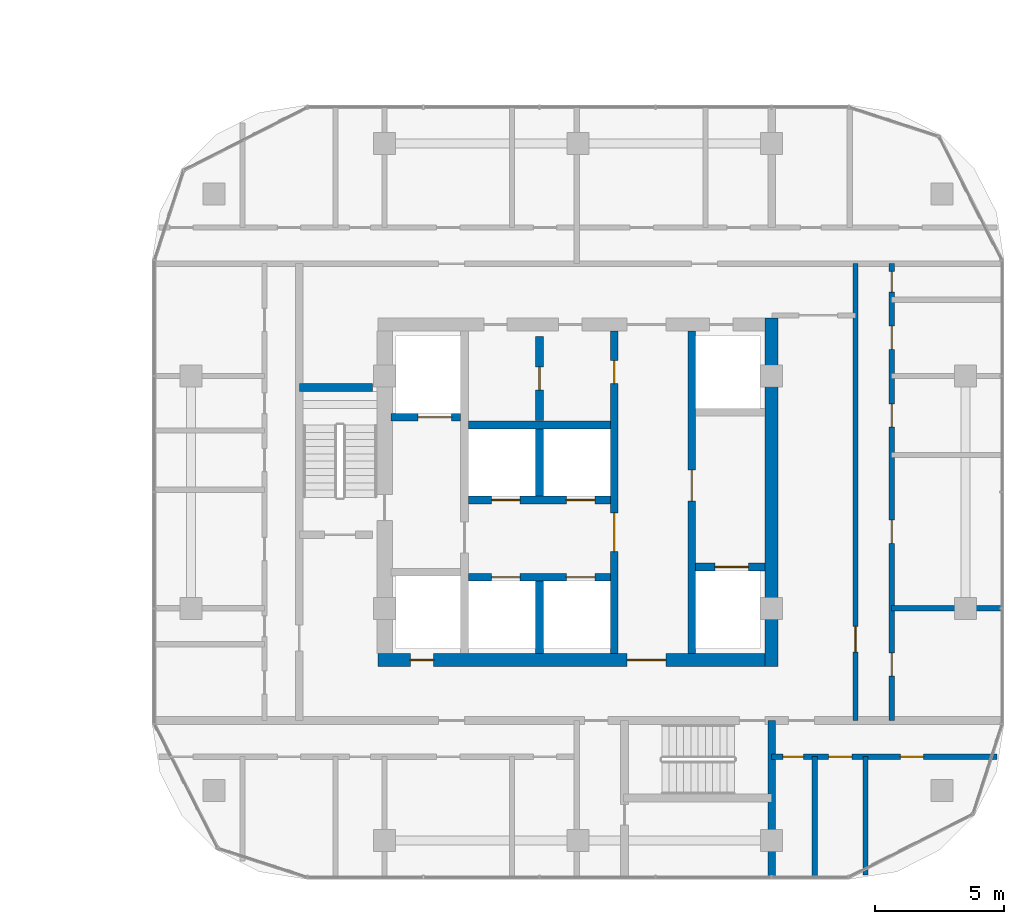
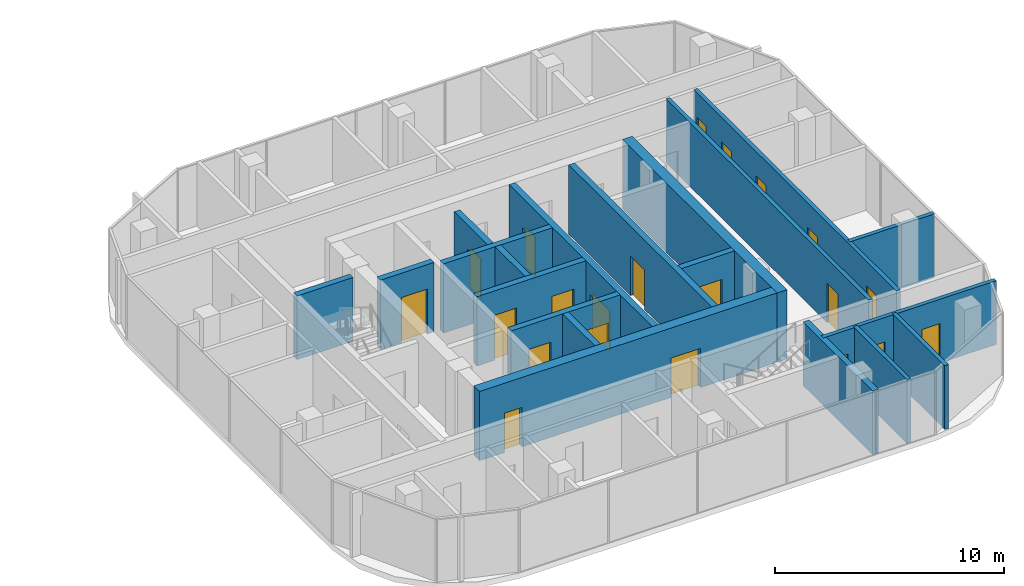
# One storey, part 21 of 31: 21 doors, 20 walls, 21 openings.
"""IFC4 building model written with IfcOpenShell, lengths in metres."""

from ifc_helpers import new_model, si_unit, direction, frame, frame_2d, origin, place, context, subcontext, project, spatial, rectangle, extrude, material, layer, layer_set, type_object, element, fill, save


model = new_model("IFC4")

# Units and contexts
model_context = context("Model", 3, precision=1e-05, world=origin(), true_north=direction((0.0, 1.0)))
body_context = subcontext(model_context, "Body", "Model", "MODEL_VIEW")
ifc_project = project(units=[si_unit("LENGTHUNIT", "METRE"), si_unit("AREAUNIT", "SQUARE_METRE"), si_unit("VOLUMEUNIT", "CUBIC_METRE"), si_unit("PLANEANGLEUNIT", "RADIAN"), si_unit("MASSUNIT", "GRAM", prefix="KILO")], contexts=[model_context])

# Site, building, storey
site_placement = place(None, origin())
site = spatial("IfcSite", under=ifc_project, at=site_placement, CompositionType="ELEMENT")
building_placement = place(site_placement, origin())
building = spatial("IfcBuilding", under=site, at=building_placement, Name="Ogive Portal Towers", CompositionType="ELEMENT")
storey_placement = place(building_placement, frame((0.0, 0.0, 74.199951171875)))
storey = spatial("IfcBuildingStorey", under=building, at=storey_placement, Name="L17", CompositionType="ELEMENT", Elevation=74.199951171875)

# Wall, openings, doors
ifc_material_1 = material(Name="Concrete C60/75", Category="concrete")
ifc_layer_1 = layer(ifc_material_1, 0.300048828125)
ifc_layer_set_1 = layer_set([ifc_layer_1], Name="CORE WALL 300 C60")
wall_type_1 = type_object("IfcWallType", Name="CORE WALL 300 C60", PredefinedType="SHEAR", material=ifc_layer_set_1)
wall_1_placement = place(storey_placement, frame((137.89990234375, 24.75, 0.0), z_axis=(0.0, 0.0, 1.0), x_axis=(0.0, 1.0, 0.0)))
wall_1 = element("IfcWall", 1, at=wall_1_placement, inside=storey, type_object=wall_type_1, Name="Tower B core wall BX2 L17", PredefinedType="SHEAR", context=body_context, shape_type="SweptSolid", body=[
    extrude(rectangle(XDim=12.5, YDim=0.300048828125, at=frame_2d((6.25, 0.0))), origin(), (0.0, 0.0, 1.0), 3.699951171875),
])
opening_1_placement = place(wall_1_placement, frame((3.949951171875, 0.0, 0.0)))
opening_1 = element("IfcOpeningElement", 2, at=opening_1_placement, cuts=wall_1, Name="Opening B05-041", PredefinedType="OPENING", context=body_context, shape_type="SweptSolid", body=[
    extrude(rectangle(XDim=1.5, YDim=2.10009765625, at=frame_2d((0.75, 1.050048828125))), frame((0.0, 0.16015625, 0.0), z_axis=(0.0, -1.0, 0.0), x_axis=(1.0, 0.0, 0.0)), (0.0, 0.0, 1.0), 0.320068359375),
])
opening_2_placement = place(wall_1_placement, frame((10.449951171875, 0.0, 0.0)))
opening_2 = element("IfcOpeningElement", 3, at=opening_2_placement, cuts=wall_1, Name="Opening B05-057", PredefinedType="OPENING", context=body_context, shape_type="SweptSolid", body=[
    extrude(rectangle(XDim=0.89990234375, YDim=2.10009765625, at=frame_2d((0.449951171875, 1.050048828125))), frame((0.0, 0.16015625, 0.0), z_axis=(0.0, -1.0, 0.0), x_axis=(1.0, 0.0, 0.0)), (0.0, 0.0, 1.0), 0.320068359375),
])
ifc_material_2 = material(Name="Steel fire door", Category="steel")
door_type_1 = type_object("IfcDoorType", Name="DT-SWING-1500x2100-FD90S", OperationType="SINGLE_SWING_LEFT", PredefinedType="DOOR", material=ifc_material_2)
door_1_placement = place(opening_1_placement, origin())
door_1 = element("IfcDoor", 4, at=door_1_placement, inside=storey, type_object=door_type_1, Name="Door B05-041", OperationType="SINGLE_SWING_RIGHT", OverallHeight=2.10009765625, OverallWidth=1.5, PredefinedType="DOOR", context=body_context, shape_type="SweptSolid", body=[
    extrude(rectangle(XDim=1.5, YDim=2.10009765625, at=frame_2d((0.75, 1.050048828125))), frame((0.0, 0.02490234375, 0.0), z_axis=(0.0, -1.0, 0.0), x_axis=(1.0, 0.0, 0.0)), (0.0, 0.0, 1.0), 0.050048828125),
])
fill(opening_1, door_1)
door_type_2 = type_object("IfcDoorType", Name="DT-SWING-900x2100-FD90S", OperationType="SINGLE_SWING_LEFT", PredefinedType="DOOR", material=ifc_material_2)
door_2_placement = place(opening_2_placement, origin())
door_2 = element("IfcDoor", 5, at=door_2_placement, inside=storey, type_object=door_type_2, Name="Door B05-057", OperationType="SINGLE_SWING_RIGHT", OverallHeight=2.10009765625, OverallWidth=0.89990234375, PredefinedType="DOOR", context=body_context, shape_type="SweptSolid", body=[
    extrude(rectangle(XDim=0.89990234375, YDim=2.10009765625, at=frame_2d((0.449951171875, 1.050048828125))), frame((0.0, 0.02490234375, 0.0), z_axis=(0.0, -1.0, 0.0), x_axis=(1.0, 0.0, 0.0)), (0.0, 0.0, 1.0), 0.050048828125),
])
fill(opening_2, door_2)

# Wall, opening, door
wall_2_placement = place(storey_placement, frame((140.89990234375, 24.75, 0.0), z_axis=(0.0, 0.0, 1.0), x_axis=(0.0, 1.0, 0.0)))
wall_2 = element("IfcWall", 6, at=wall_2_placement, inside=storey, type_object=wall_type_1, Name="Tower B core wall BX3 L17", PredefinedType="SHEAR", context=body_context, shape_type="SweptSolid", body=[
    extrude(rectangle(XDim=12.5, YDim=0.300048828125, at=frame_2d((6.25, 0.0))), origin(), (0.0, 0.0, 1.0), 3.699951171875),
])
opening_3_placement = place(wall_2_placement, frame((5.89990234375, 0.0, 0.0)))
opening_3 = element("IfcOpeningElement", 7, at=opening_3_placement, cuts=wall_2, Name="Opening B05-043", PredefinedType="OPENING", context=body_context, shape_type="SweptSolid", body=[
    extrude(rectangle(XDim=1.199951171875, YDim=2.10009765625, at=frame_2d((0.60009765625, 1.050048828125))), frame((0.0, 0.16015625, 0.0), z_axis=(0.0, -1.0, 0.0), x_axis=(1.0, 0.0, 0.0)), (0.0, 0.0, 1.0), 0.320068359375),
])
door_type_3 = type_object("IfcDoorType", Name="DT-SWING-1200x2100-FD90S", OperationType="SINGLE_SWING_LEFT", PredefinedType="DOOR", material=ifc_material_2)
door_3_placement = place(opening_3_placement, origin())
door_3 = element("IfcDoor", 8, at=door_3_placement, inside=storey, type_object=door_type_3, Name="Door B05-043", OperationType="SINGLE_SWING_RIGHT", OverallHeight=2.10009765625, OverallWidth=1.199951171875, PredefinedType="DOOR", context=body_context, shape_type="SweptSolid", body=[
    extrude(rectangle(XDim=1.199951171875, YDim=2.10009765625, at=frame_2d((0.60009765625, 1.050048828125))), frame((0.0, 0.02490234375, 0.0), z_axis=(0.0, -1.0, 0.0), x_axis=(1.0, 0.0, 0.0)), (0.0, 0.0, 1.0), 0.050048828125),
])
fill(opening_3, door_3)

# Walls
wall_3_placement = place(storey_placement, frame((135.0, 24.75, 0.0), z_axis=(0.0, 0.0, 1.0), x_axis=(0.0, 1.0, 0.0)))
element("IfcWall", 9, at=wall_3_placement, inside=storey, type_object=wall_type_1, Name="Tower B core wall BX4 L17", PredefinedType="SHEAR", context=body_context, shape_type="SweptSolid", body=[
    extrude(rectangle(XDim=2.800048828125, YDim=0.300048828125, at=frame_2d((1.39990234375, 0.0))), origin(), (0.0, 0.0, 1.0), 3.699951171875),
])
wall_4_placement = place(storey_placement, frame((135.0, 30.85009765625, 0.0), z_axis=(0.0, 0.0, 1.0), x_axis=(0.0, 1.0, 0.0)))
element("IfcWall", 10, at=wall_4_placement, inside=storey, type_object=wall_type_1, Name="Tower B core wall BX5 L17", PredefinedType="SHEAR", context=body_context, shape_type="SweptSolid", body=[
    extrude(rectangle(XDim=2.599853515625, YDim=0.300048828125, at=frame_2d((1.2998046875, 0.0))), origin(), (0.0, 0.0, 1.0), 3.699951171875),
])

# Wall, openings, doors
wall_5_placement = place(storey_placement, frame((132.25, 27.699951171875, 0.0), z_axis=(0.0, 0.0, 1.0), x_axis=(1.0, 0.0, 0.0)))
wall_5 = element("IfcWall", 11, at=wall_5_placement, inside=storey, type_object=wall_type_1, Name="Tower B core wall BY1 L17", PredefinedType="SHEAR", context=body_context, shape_type="SweptSolid", body=[
    extrude(rectangle(XDim=5.5, YDim=0.300048828125, at=frame_2d((2.75, 0.0))), origin(), (0.0, 0.0, 1.0), 3.699951171875),
])
opening_4_placement = place(wall_5_placement, frame((0.89990234375, 0.0, 0.0)))
opening_4 = element("IfcOpeningElement", 12, at=opening_4_placement, cuts=wall_5, Name="Opening B05-049", PredefinedType="OPENING", context=body_context, shape_type="SweptSolid", body=[
    extrude(rectangle(XDim=1.10009765625, YDim=2.39990234375, at=frame_2d((0.550048828125, 1.199951171875))), frame((0.0, 0.16015625, 0.0), z_axis=(0.0, -1.0, 0.0), x_axis=(1.0, 0.0, 0.0)), (0.0, 0.0, 1.0), 0.320068359375),
])
opening_5_placement = place(wall_5_placement, frame((3.800048828125, 0.0, 0.0)))
opening_5 = element("IfcOpeningElement", 13, at=opening_5_placement, cuts=wall_5, Name="Opening B05-050", PredefinedType="OPENING", context=body_context, shape_type="SweptSolid", body=[
    extrude(rectangle(XDim=1.10009765625, YDim=2.39990234375, at=frame_2d((0.550048828125, 1.199951171875))), frame((0.0, 0.16015625, 0.0), z_axis=(0.0, -1.0, 0.0), x_axis=(1.0, 0.0, 0.0)), (0.0, 0.0, 1.0), 0.320068359375),
])
ifc_material_3 = material(Name="Stainless steel", Category="steel")
door_type_4 = type_object("IfcDoorType", Name="DT-LD-1100x2400", OperationType="SLIDING_TO_LEFT", PredefinedType="DOOR", material=ifc_material_3)
door_4_placement = place(opening_4_placement, origin())
door_4 = element("IfcDoor", 14, at=door_4_placement, inside=storey, type_object=door_type_4, Name="Door B05-049", OperationType="SLIDING_TO_LEFT", OverallHeight=2.39990234375, OverallWidth=1.10009765625, PredefinedType="DOOR", context=body_context, shape_type="SweptSolid", body=[
    extrude(rectangle(XDim=1.10009765625, YDim=2.39990234375, at=frame_2d((0.550048828125, 1.199951171875))), frame((0.0, 0.02490234375, 0.0), z_axis=(0.0, -1.0, 0.0), x_axis=(1.0, 0.0, 0.0)), (0.0, 0.0, 1.0), 0.050048828125),
])
fill(opening_4, door_4)
door_5_placement = place(opening_5_placement, origin())
door_5 = element("IfcDoor", 15, at=door_5_placement, inside=storey, type_object=door_type_4, Name="Door B05-050", OperationType="SLIDING_TO_LEFT", OverallHeight=2.39990234375, OverallWidth=1.10009765625, PredefinedType="DOOR", context=body_context, shape_type="SweptSolid", body=[
    extrude(rectangle(XDim=1.10009765625, YDim=2.39990234375, at=frame_2d((0.550048828125, 1.199951171875))), frame((0.0, 0.02490234375, 0.0), z_axis=(0.0, -1.0, 0.0), x_axis=(1.0, 0.0, 0.0)), (0.0, 0.0, 1.0), 0.050048828125),
])
fill(opening_5, door_5)

wall_6_placement = place(storey_placement, frame((132.25, 30.699951171875, 0.0), z_axis=(0.0, 0.0, 1.0), x_axis=(1.0, 0.0, 0.0)))
wall_6 = element("IfcWall", 16, at=wall_6_placement, inside=storey, type_object=wall_type_1, Name="Tower B core wall BY2 L17", PredefinedType="SHEAR", context=body_context, shape_type="SweptSolid", body=[
    extrude(rectangle(XDim=5.5, YDim=0.300048828125, at=frame_2d((2.75, 0.0))), origin(), (0.0, 0.0, 1.0), 3.699951171875),
])
opening_6_placement = place(wall_6_placement, frame((0.89990234375, 0.0, 0.0)))
opening_6 = element("IfcOpeningElement", 17, at=opening_6_placement, cuts=wall_6, Name="Opening B05-051", PredefinedType="OPENING", context=body_context, shape_type="SweptSolid", body=[
    extrude(rectangle(XDim=1.10009765625, YDim=2.39990234375, at=frame_2d((0.550048828125, 1.199951171875))), frame((0.0, 0.16015625, 0.0), z_axis=(0.0, -1.0, 0.0), x_axis=(1.0, 0.0, 0.0)), (0.0, 0.0, 1.0), 0.320068359375),
])
opening_7_placement = place(wall_6_placement, frame((3.800048828125, 0.0, 0.0)))
opening_7 = element("IfcOpeningElement", 18, at=opening_7_placement, cuts=wall_6, Name="Opening B05-052", PredefinedType="OPENING", context=body_context, shape_type="SweptSolid", body=[
    extrude(rectangle(XDim=1.10009765625, YDim=2.39990234375, at=frame_2d((0.550048828125, 1.199951171875))), frame((0.0, 0.16015625, 0.0), z_axis=(0.0, -1.0, 0.0), x_axis=(1.0, 0.0, 0.0)), (0.0, 0.0, 1.0), 0.320068359375),
])
door_6_placement = place(opening_6_placement, origin())
door_6 = element("IfcDoor", 19, at=door_6_placement, inside=storey, type_object=door_type_4, Name="Door B05-051", OperationType="SLIDING_TO_LEFT", OverallHeight=2.39990234375, OverallWidth=1.10009765625, PredefinedType="DOOR", context=body_context, shape_type="SweptSolid", body=[
    extrude(rectangle(XDim=1.10009765625, YDim=2.39990234375, at=frame_2d((0.550048828125, 1.199951171875))), frame((0.0, 0.02490234375, 0.0), z_axis=(0.0, -1.0, 0.0), x_axis=(1.0, 0.0, 0.0)), (0.0, 0.0, 1.0), 0.050048828125),
])
fill(opening_6, door_6)
door_7_placement = place(opening_7_placement, origin())
door_7 = element("IfcDoor", 20, at=door_7_placement, inside=storey, type_object=door_type_4, Name="Door B05-052", OperationType="SLIDING_TO_LEFT", OverallHeight=2.39990234375, OverallWidth=1.10009765625, PredefinedType="DOOR", context=body_context, shape_type="SweptSolid", body=[
    extrude(rectangle(XDim=1.10009765625, YDim=2.39990234375, at=frame_2d((0.550048828125, 1.199951171875))), frame((0.0, 0.02490234375, 0.0), z_axis=(0.0, -1.0, 0.0), x_axis=(1.0, 0.0, 0.0)), (0.0, 0.0, 1.0), 0.050048828125),
])
fill(opening_7, door_7)

# Wall
wall_7_placement = place(storey_placement, frame((132.25, 33.60009765625, 0.0), z_axis=(0.0, 0.0, 1.0), x_axis=(1.0, 0.0, 0.0)))
element("IfcWall", 21, at=wall_7_placement, inside=storey, type_object=wall_type_1, Name="Tower B core wall BY3 L17", PredefinedType="SHEAR", context=body_context, shape_type="SweptSolid", body=[
    extrude(rectangle(XDim=5.5, YDim=0.300048828125, at=frame_2d((2.75, 0.0))), origin(), (0.0, 0.0, 1.0), 3.699951171875),
])

# Wall, opening, door
wall_8_placement = place(storey_placement, frame((129.25, 33.89990234375, 0.0), z_axis=(0.0, 0.0, 1.0), x_axis=(1.0, 0.0, 0.0)))
wall_8 = element("IfcWall", 22, at=wall_8_placement, inside=storey, type_object=wall_type_1, Name="Tower B core wall BY5 L17", PredefinedType="SHEAR", context=body_context, shape_type="SweptSolid", body=[
    extrude(rectangle(XDim=2.699951171875, YDim=0.300048828125, at=frame_2d((1.35009765625, 0.0))), origin(), (0.0, 0.0, 1.0), 3.699951171875),
])
opening_8_placement = place(wall_8_placement, frame((1.050048828125, 0.0, 0.0)))
opening_8 = element("IfcOpeningElement", 23, at=opening_8_placement, cuts=wall_8, Name="Opening B05-053", PredefinedType="OPENING", context=body_context, shape_type="SweptSolid", body=[
    extrude(rectangle(XDim=1.300048828125, YDim=2.39990234375, at=frame_2d((0.64990234375, 1.199951171875))), frame((0.0, 0.16015625, 0.0), z_axis=(0.0, -1.0, 0.0), x_axis=(1.0, 0.0, 0.0)), (0.0, 0.0, 1.0), 0.320068359375),
])
door_type_5 = type_object("IfcDoorType", Name="DT-LD-1300x2400", OperationType="SLIDING_TO_LEFT", PredefinedType="DOOR", material=ifc_material_3)
door_8_placement = place(opening_8_placement, origin())
door_8 = element("IfcDoor", 24, at=door_8_placement, inside=storey, type_object=door_type_5, Name="Door B05-053", OperationType="SLIDING_TO_LEFT", OverallHeight=2.39990234375, OverallWidth=1.300048828125, PredefinedType="DOOR", context=body_context, shape_type="SweptSolid", body=[
    extrude(rectangle(XDim=1.300048828125, YDim=2.39990234375, at=frame_2d((0.64990234375, 1.199951171875))), frame((0.0, 0.02490234375, 0.0), z_axis=(0.0, -1.0, 0.0), x_axis=(1.0, 0.0, 0.0)), (0.0, 0.0, 1.0), 0.050048828125),
])
fill(opening_8, door_8)

wall_9_placement = place(storey_placement, frame((141.050048828125, 28.10009765625, 0.0), z_axis=(0.0, 0.0, 1.0), x_axis=(1.0, 0.0, 0.0)))
wall_9 = element("IfcWall", 25, at=wall_9_placement, inside=storey, type_object=wall_type_1, Name="Tower B core wall BY6 L17", PredefinedType="SHEAR", context=body_context, shape_type="SweptSolid", body=[
    extrude(rectangle(XDim=2.699951171875, YDim=0.300048828125, at=frame_2d((1.35009765625, 0.0))), origin(), (0.0, 0.0, 1.0), 3.699951171875),
])
opening_9_placement = place(wall_9_placement, frame((0.75, 0.0, 0.0)))
opening_9 = element("IfcOpeningElement", 26, at=opening_9_placement, cuts=wall_9, Name="Opening B05-054", PredefinedType="OPENING", context=body_context, shape_type="SweptSolid", body=[
    extrude(rectangle(XDim=1.300048828125, YDim=2.39990234375, at=frame_2d((0.64990234375, 1.199951171875))), frame((0.0, 0.16015625, 0.0), z_axis=(0.0, -1.0, 0.0), x_axis=(1.0, 0.0, 0.0)), (0.0, 0.0, 1.0), 0.320068359375),
])
door_9_placement = place(opening_9_placement, origin())
door_9 = element("IfcDoor", 27, at=door_9_placement, inside=storey, type_object=door_type_5, Name="Door B05-054", OperationType="SLIDING_TO_LEFT", OverallHeight=2.39990234375, OverallWidth=1.300048828125, PredefinedType="DOOR", context=body_context, shape_type="SweptSolid", body=[
    extrude(rectangle(XDim=1.300048828125, YDim=2.39990234375, at=frame_2d((0.64990234375, 1.199951171875))), frame((0.0, 0.02490234375, 0.0), z_axis=(0.0, -1.0, 0.0), x_axis=(1.0, 0.0, 0.0)), (0.0, 0.0, 1.0), 0.050048828125),
])
fill(opening_9, door_9)

# Wall, openings, doors
ifc_layer_2 = layer(ifc_material_1, 0.5)
ifc_layer_set_2 = layer_set([ifc_layer_2], Name="CORE WALL 500 C60")
wall_type_2 = type_object("IfcWallType", Name="CORE WALL 500 C60", PredefinedType="SHEAR", material=ifc_layer_set_2)
wall_10_placement = place(storey_placement, frame((128.75, 24.5, 0.0), z_axis=(0.0, 0.0, 1.0), x_axis=(1.0, 0.0, 0.0)))
wall_10 = element("IfcWall", 28, at=wall_10_placement, inside=storey, type_object=wall_type_2, Name="Tower B core wall BS L17", PredefinedType="SHEAR", context=body_context, shape_type="SweptSolid", body=[
    extrude(rectangle(XDim=15.0, YDim=0.5, at=frame_2d((7.5, 0.0))), origin(), (0.0, 0.0, 1.0), 3.699951171875),
])
opening_10_placement = place(wall_10_placement, frame((9.64990234375, 0.0, 0.0)))
opening_10 = element("IfcOpeningElement", 29, at=opening_10_placement, cuts=wall_10, Name="Opening B05-045", PredefinedType="OPENING", context=body_context, shape_type="SweptSolid", body=[
    extrude(rectangle(XDim=1.5, YDim=2.10009765625, at=frame_2d((0.75, 1.050048828125))), frame((0.0, 0.260009765625, 0.0), z_axis=(0.0, -1.0, 0.0), x_axis=(1.0, 0.0, 0.0)), (0.0, 0.0, 1.0), 0.52001953125),
])
opening_11_placement = place(wall_10_placement, frame((1.25, 0.0, 0.0)))
opening_11 = element("IfcOpeningElement", 30, at=opening_11_placement, cuts=wall_10, Name="Opening B05-047", PredefinedType="OPENING", context=body_context, shape_type="SweptSolid", body=[
    extrude(rectangle(XDim=0.89990234375, YDim=2.10009765625, at=frame_2d((0.449951171875, 1.050048828125))), frame((0.0, 0.260009765625, 0.0), z_axis=(0.0, -1.0, 0.0), x_axis=(1.0, 0.0, 0.0)), (0.0, 0.0, 1.0), 0.52001953125),
])
door_10_placement = place(opening_10_placement, origin())
door_10 = element("IfcDoor", 31, at=door_10_placement, inside=storey, type_object=door_type_1, Name="Door B05-045", OperationType="SINGLE_SWING_LEFT", OverallHeight=2.10009765625, OverallWidth=1.5, PredefinedType="DOOR", context=body_context, shape_type="SweptSolid", body=[
    extrude(rectangle(XDim=1.5, YDim=2.10009765625, at=frame_2d((0.75, 1.050048828125))), frame((0.0, 0.02490234375, 0.0), z_axis=(0.0, -1.0, 0.0), x_axis=(1.0, 0.0, 0.0)), (0.0, 0.0, 1.0), 0.050048828125),
])
fill(opening_10, door_10)
door_11_placement = place(opening_11_placement, origin())
door_11 = element("IfcDoor", 32, at=door_11_placement, inside=storey, type_object=door_type_2, Name="Riser access door B05-047", OperationType="SINGLE_SWING_LEFT", OverallHeight=2.10009765625, OverallWidth=0.89990234375, PredefinedType="DOOR", context=body_context, shape_type="SweptSolid", body=[
    extrude(rectangle(XDim=0.89990234375, YDim=2.10009765625, at=frame_2d((0.449951171875, 1.050048828125))), frame((0.0, 0.02490234375, 0.0), z_axis=(0.0, -1.0, 0.0), x_axis=(1.0, 0.0, 0.0)), (0.0, 0.0, 1.0), 0.050048828125),
])
fill(opening_11, door_11)

# Walls
wall_11_placement = place(storey_placement, frame((144.0, 24.25, 0.0), z_axis=(0.0, 0.0, 1.0), x_axis=(0.0, 1.0, 0.0)))
element("IfcWall", 33, at=wall_11_placement, inside=storey, type_object=wall_type_2, Name="Tower B core wall BE L17", PredefinedType="SHEAR", context=body_context, shape_type="SweptSolid", body=[
    extrude(rectangle(XDim=13.5, YDim=0.5, at=frame_2d((6.75, 0.0))), origin(), (0.0, 0.0, 1.0), 3.699951171875),
])
ifc_material_4 = material(Name="Concrete C50/60", Category="concrete")
ifc_layer_3 = layer(ifc_material_4, 0.300048828125)
ifc_layer_set_3 = layer_set([ifc_layer_3], Name="STAIR WALL 300 C50")
wall_type_3 = type_object("IfcWallType", Name="STAIR WALL 300 C50", PredefinedType="SHEAR", material=ifc_layer_set_3)
wall_12_placement = place(storey_placement, frame((125.699951171875, 35.050048828125, 0.0), z_axis=(0.0, 0.0, 1.0), x_axis=(1.0, 0.0, 0.0)))
element("IfcWall", 34, at=wall_12_placement, inside=storey, type_object=wall_type_3, Name="Stair wall ST-B1 L17", PredefinedType="SHEAR", context=body_context, shape_type="SweptSolid", body=[
    extrude(rectangle(XDim=2.830078125, YDim=0.300048828125, at=frame_2d((1.4150390625, 0.0))), origin(), (0.0, 0.0, 1.0), 3.400146484375),
])
wall_13_placement = place(storey_placement, frame((144.0, 16.070068359375, 0.0), z_axis=(0.0, 0.0, 1.0), x_axis=(0.0, 1.0, 0.0)))
element("IfcWall", 35, at=wall_13_placement, inside=storey, type_object=wall_type_3, Name="Stair wall ST-B2 L17", PredefinedType="SHEAR", context=body_context, shape_type="SweptSolid", body=[
    extrude(rectangle(XDim=6.079833984375, YDim=0.300048828125, at=frame_2d((3.0400390625, 0.0))), origin(), (0.0, 0.0, 1.0), 3.400146484375),
])

# Wall, openings, doors
ifc_material_5 = material(Name="Gypsum board partition on steel studs", Category="steel")
ifc_layer_4 = layer(ifc_material_5, 0.199951171875)
ifc_layer_set_4 = layer_set([ifc_layer_4], Name="WT-PART-200-EI 60")
wall_type_4 = type_object("IfcWallType", Name="WT-PART-200-EI 60", PredefinedType="PARTITIONING", material=ifc_layer_set_4)
wall_14_placement = place(storey_placement, frame((144.0, 20.75, 0.0), z_axis=(0.0, 0.0, 1.0), x_axis=(1.0, 0.0, 0.0)))
wall_14 = element("IfcWall", 36, at=wall_14_placement, inside=storey, type_object=wall_type_4, Name="Wall L17:w003", PredefinedType="PARTITIONING", context=body_context, shape_type="SweptSolid", body=[
    extrude(rectangle(XDim=8.73095703125, YDim=0.199951171875, at=frame_2d((4.365478515625, 0.0))), origin(), (0.0, 0.0, 1.0), 3.400146484375),
])
opening_12_placement = place(wall_14_placement, frame((0.43505859375, 0.0, 0.0)))
opening_12 = element("IfcOpeningElement", 37, at=opening_12_placement, cuts=wall_14, Name="Opening B05-023", PredefinedType="OPENING", context=body_context, shape_type="SweptSolid", body=[
    extrude(rectangle(XDim=0.800048828125, YDim=2.10009765625, at=frame_2d((0.39990234375, 1.050048828125))), frame((0.0, 0.10986328125, 0.0), z_axis=(0.0, -1.0, 0.0), x_axis=(1.0, 0.0, 0.0)), (0.0, 0.0, 1.0), 0.219970703125),
])
opening_13_placement = place(wall_14_placement, frame((2.201904296875, 0.0, 0.0)))
opening_13 = element("IfcOpeningElement", 38, at=opening_13_placement, cuts=wall_14, Name="Opening B05-024", PredefinedType="OPENING", context=body_context, shape_type="SweptSolid", body=[
    extrude(rectangle(XDim=0.89990234375, YDim=2.10009765625, at=frame_2d((0.449951171875, 1.050048828125))), frame((0.0, 0.10986328125, 0.0), z_axis=(0.0, -1.0, 0.0), x_axis=(1.0, 0.0, 0.0)), (0.0, 0.0, 1.0), 0.219970703125),
])
opening_14_placement = place(wall_14_placement, frame((4.98388671875, 0.0, 0.0)))
opening_14 = element("IfcOpeningElement", 39, at=opening_14_placement, cuts=wall_14, Name="Opening B05-025", PredefinedType="OPENING", context=body_context, shape_type="SweptSolid", body=[
    extrude(rectangle(XDim=0.89990234375, YDim=2.10009765625, at=frame_2d((0.449951171875, 1.050048828125))), frame((0.0, 0.10986328125, 0.0), z_axis=(0.0, -1.0, 0.0), x_axis=(1.0, 0.0, 0.0)), (0.0, 0.0, 1.0), 0.219970703125),
])
door_type_6 = type_object("IfcDoorType", Name="DT-SWING-800x2100-FD60S", OperationType="SINGLE_SWING_LEFT", PredefinedType="DOOR", material=ifc_material_2)
door_12_placement = place(opening_12_placement, origin())
door_12 = element("IfcDoor", 40, at=door_12_placement, inside=storey, type_object=door_type_6, Name="Door B05-023", OperationType="SINGLE_SWING_LEFT", OverallHeight=2.10009765625, OverallWidth=0.800048828125, PredefinedType="DOOR", context=body_context, shape_type="SweptSolid", body=[
    extrude(rectangle(XDim=0.800048828125, YDim=2.10009765625, at=frame_2d((0.39990234375, 1.050048828125))), frame((0.0, 0.02490234375, 0.0), z_axis=(0.0, -1.0, 0.0), x_axis=(1.0, 0.0, 0.0)), (0.0, 0.0, 1.0), 0.050048828125),
])
fill(opening_12, door_12)
door_type_7 = type_object("IfcDoorType", Name="DT-SWING-900x2100-FD60S", OperationType="SINGLE_SWING_LEFT", PredefinedType="DOOR", material=ifc_material_2)
door_13_placement = place(opening_13_placement, origin())
door_13 = element("IfcDoor", 41, at=door_13_placement, inside=storey, type_object=door_type_7, Name="Door B05-024", OperationType="SINGLE_SWING_RIGHT", OverallHeight=2.10009765625, OverallWidth=0.89990234375, PredefinedType="DOOR", context=body_context, shape_type="SweptSolid", body=[
    extrude(rectangle(XDim=0.89990234375, YDim=2.10009765625, at=frame_2d((0.449951171875, 1.050048828125))), frame((0.0, 0.02490234375, 0.0), z_axis=(0.0, -1.0, 0.0), x_axis=(1.0, 0.0, 0.0)), (0.0, 0.0, 1.0), 0.050048828125),
])
fill(opening_13, door_13)
door_14_placement = place(opening_14_placement, origin())
door_14 = element("IfcDoor", 42, at=door_14_placement, inside=storey, type_object=door_type_7, Name="Door B05-025", OperationType="SINGLE_SWING_LEFT", OverallHeight=2.10009765625, OverallWidth=0.89990234375, PredefinedType="DOOR", context=body_context, shape_type="SweptSolid", body=[
    extrude(rectangle(XDim=0.89990234375, YDim=2.10009765625, at=frame_2d((0.449951171875, 1.050048828125))), frame((0.0, 0.02490234375, 0.0), z_axis=(0.0, -1.0, 0.0), x_axis=(1.0, 0.0, 0.0)), (0.0, 0.0, 1.0), 0.050048828125),
])
fill(opening_14, door_14)

# Walls
wall_15_placement = place(storey_placement, frame((148.64990234375, 26.5, 0.0), z_axis=(0.0, 0.0, 1.0), x_axis=(1.0, 0.0, 0.0)))
element("IfcWall", 43, at=wall_15_placement, inside=storey, type_object=wall_type_4, Name="Wall L17:w009", PredefinedType="PARTITIONING", context=body_context, shape_type="SweptSolid", body=[
    extrude(rectangle(XDim=4.280029296875, YDim=0.199951171875, at=frame_2d((2.14013671875, 0.0))), origin(), (0.0, 0.0, 1.0), 3.400146484375),
])
wall_16_placement = place(storey_placement, frame((145.669921875, 16.070068359375, 0.0), z_axis=(0.0, 0.0, 1.0), x_axis=(0.0, 1.0, 0.0)))
element("IfcWall", 44, at=wall_16_placement, inside=storey, type_object=wall_type_4, Name="Wall L17:w043", PredefinedType="PARTITIONING", context=body_context, shape_type="SweptSolid", body=[
    extrude(rectangle(XDim=4.679931640625, YDim=0.199951171875, at=frame_2d((2.33984375, 0.0))), origin(), (0.0, 0.0, 1.0), 3.400146484375),
])

# Wall, opening, door
wall_17_placement = place(storey_placement, frame((147.25, 22.14990234375, 0.0), z_axis=(0.0, 0.0, 1.0), x_axis=(0.0, 1.0, 0.0)))
wall_17 = element("IfcWall", 45, at=wall_17_placement, inside=storey, type_object=wall_type_4, Name="Wall L17:w045", PredefinedType="PARTITIONING", context=body_context, shape_type="SweptSolid", body=[
    extrude(rectangle(XDim=17.7001953125, YDim=0.199951171875, at=frame_2d((8.85009765625, 0.0))), origin(), (0.0, 0.0, 1.0), 3.400146484375),
])
opening_15_placement = place(wall_17_placement, frame((2.64990234375, 0.0, 0.0)))
opening_15 = element("IfcOpeningElement", 46, at=opening_15_placement, cuts=wall_17, Name="Opening B05-035", PredefinedType="OPENING", context=body_context, shape_type="SweptSolid", body=[
    extrude(rectangle(XDim=1.0, YDim=2.10009765625, at=frame_2d((0.5, 1.050048828125))), frame((0.0, 0.10986328125, 0.0), z_axis=(0.0, -1.0, 0.0), x_axis=(1.0, 0.0, 0.0)), (0.0, 0.0, 1.0), 0.219970703125),
])
door_type_8 = type_object("IfcDoorType", Name="DT-SWING-1000x2100-FD60S", OperationType="SINGLE_SWING_LEFT", PredefinedType="DOOR", material=ifc_material_2)
door_15_placement = place(opening_15_placement, origin())
door_15 = element("IfcDoor", 47, at=door_15_placement, inside=storey, type_object=door_type_8, Name="Door B05-035", OperationType="SINGLE_SWING_LEFT", OverallHeight=2.10009765625, OverallWidth=1.0, PredefinedType="DOOR", context=body_context, shape_type="SweptSolid", body=[
    extrude(rectangle(XDim=1.0, YDim=2.10009765625, at=frame_2d((0.5, 1.050048828125))), frame((0.0, 0.02490234375, 0.0), z_axis=(0.0, -1.0, 0.0), x_axis=(1.0, 0.0, 0.0)), (0.0, 0.0, 1.0), 0.050048828125),
])
fill(opening_15, door_15)

# Wall
wall_18_placement = place(storey_placement, frame((147.633056640625, 16.1708984375, 0.0), z_axis=(0.0, 0.0, 1.0), x_axis=(0.0, 1.0, 0.0)))
element("IfcWall", 48, at=wall_18_placement, inside=storey, type_object=wall_type_4, Name="Wall L17:w046", PredefinedType="PARTITIONING", context=body_context, shape_type="SweptSolid", body=[
    extrude(rectangle(XDim=4.5791015625, YDim=0.199951171875, at=frame_2d((2.28955078125, 0.0))), origin(), (0.0, 0.0, 1.0), 3.400146484375),
])

# Wall, openings, doors
wall_19_placement = place(storey_placement, frame((148.64990234375, 22.14990234375, 0.0), z_axis=(0.0, 0.0, 1.0), x_axis=(0.0, 1.0, 0.0)))
wall_19 = element("IfcWall", 49, at=wall_19_placement, inside=storey, type_object=wall_type_4, Name="Wall L17:w047", PredefinedType="PARTITIONING", context=body_context, shape_type="SweptSolid", body=[
    extrude(rectangle(XDim=17.7001953125, YDim=0.199951171875, at=frame_2d((8.85009765625, 0.0))), origin(), (0.0, 0.0, 1.0), 3.400146484375),
])
opening_16_placement = place(wall_19_placement, frame((1.72509765625, 0.0, 0.0)))
opening_16 = element("IfcOpeningElement", 50, at=opening_16_placement, cuts=wall_19, Name="Opening B05-036", PredefinedType="OPENING", context=body_context, shape_type="SweptSolid", body=[
    extrude(rectangle(XDim=0.89990234375, YDim=2.10009765625, at=frame_2d((0.449951171875, 1.050048828125))), frame((0.0, 0.10986328125, 0.0), z_axis=(0.0, -1.0, 0.0), x_axis=(1.0, 0.0, 0.0)), (0.0, 0.0, 1.0), 0.219970703125),
])
opening_17_placement = place(wall_19_placement, frame((6.866943359375, 0.0, 0.0)))
opening_17 = element("IfcOpeningElement", 51, at=opening_17_placement, cuts=wall_19, Name="Opening B05-037", PredefinedType="OPENING", context=body_context, shape_type="SweptSolid", body=[
    extrude(rectangle(XDim=0.89990234375, YDim=2.10009765625, at=frame_2d((0.449951171875, 1.050048828125))), frame((0.0, 0.10986328125, 0.0), z_axis=(0.0, -1.0, 0.0), x_axis=(1.0, 0.0, 0.0)), (0.0, 0.0, 1.0), 0.219970703125),
])
opening_18_placement = place(wall_19_placement, frame((11.366943359375, 0.0, 0.0)))
opening_18 = element("IfcOpeningElement", 52, at=opening_18_placement, cuts=wall_19, Name="Opening B05-038", PredefinedType="OPENING", context=body_context, shape_type="SweptSolid", body=[
    extrude(rectangle(XDim=0.89990234375, YDim=2.10009765625, at=frame_2d((0.449951171875, 1.050048828125))), frame((0.0, 0.10986328125, 0.0), z_axis=(0.0, -1.0, 0.0), x_axis=(1.0, 0.0, 0.0)), (0.0, 0.0, 1.0), 0.219970703125),
])
opening_19_placement = place(wall_19_placement, frame((14.3779296875, 0.0, 0.0)))
opening_19 = element("IfcOpeningElement", 53, at=opening_19_placement, cuts=wall_19, Name="Opening B05-039", PredefinedType="OPENING", context=body_context, shape_type="SweptSolid", body=[
    extrude(rectangle(XDim=0.89990234375, YDim=2.10009765625, at=frame_2d((0.449951171875, 1.050048828125))), frame((0.0, 0.10986328125, 0.0), z_axis=(0.0, -1.0, 0.0), x_axis=(1.0, 0.0, 0.0)), (0.0, 0.0, 1.0), 0.219970703125),
])
opening_20_placement = place(wall_19_placement, frame((16.60302734375, 0.0, 0.0)))
opening_20 = element("IfcOpeningElement", 54, at=opening_20_placement, cuts=wall_19, Name="Opening B05-040", PredefinedType="OPENING", context=body_context, shape_type="SweptSolid", body=[
    extrude(rectangle(XDim=0.800048828125, YDim=2.10009765625, at=frame_2d((0.39990234375, 1.050048828125))), frame((0.0, 0.10986328125, 0.0), z_axis=(0.0, -1.0, 0.0), x_axis=(1.0, 0.0, 0.0)), (0.0, 0.0, 1.0), 0.219970703125),
])
door_16_placement = place(opening_20_placement, origin())
door_16 = element("IfcDoor", 55, at=door_16_placement, inside=storey, type_object=door_type_6, Name="Door B05-040", OperationType="SINGLE_SWING_RIGHT", OverallHeight=2.10009765625, OverallWidth=0.800048828125, PredefinedType="DOOR", context=body_context, shape_type="SweptSolid", body=[
    extrude(rectangle(XDim=0.800048828125, YDim=2.10009765625, at=frame_2d((0.39990234375, 1.050048828125))), frame((0.0, 0.02490234375, 0.0), z_axis=(0.0, -1.0, 0.0), x_axis=(1.0, 0.0, 0.0)), (0.0, 0.0, 1.0), 0.050048828125),
])
fill(opening_20, door_16)
door_17_placement = place(opening_16_placement, origin())
door_17 = element("IfcDoor", 56, at=door_17_placement, inside=storey, type_object=door_type_7, Name="Door B05-036", OperationType="SINGLE_SWING_RIGHT", OverallHeight=2.10009765625, OverallWidth=0.89990234375, PredefinedType="DOOR", context=body_context, shape_type="SweptSolid", body=[
    extrude(rectangle(XDim=0.89990234375, YDim=2.10009765625, at=frame_2d((0.449951171875, 1.050048828125))), frame((0.0, 0.02490234375, 0.0), z_axis=(0.0, -1.0, 0.0), x_axis=(1.0, 0.0, 0.0)), (0.0, 0.0, 1.0), 0.050048828125),
])
fill(opening_16, door_17)
door_18_placement = place(opening_17_placement, origin())
door_18 = element("IfcDoor", 57, at=door_18_placement, inside=storey, type_object=door_type_7, Name="Door B05-037", OperationType="SINGLE_SWING_LEFT", OverallHeight=2.10009765625, OverallWidth=0.89990234375, PredefinedType="DOOR", context=body_context, shape_type="SweptSolid", body=[
    extrude(rectangle(XDim=0.89990234375, YDim=2.10009765625, at=frame_2d((0.449951171875, 1.050048828125))), frame((0.0, 0.02490234375, 0.0), z_axis=(0.0, -1.0, 0.0), x_axis=(1.0, 0.0, 0.0)), (0.0, 0.0, 1.0), 0.050048828125),
])
fill(opening_17, door_18)
door_19_placement = place(opening_18_placement, origin())
door_19 = element("IfcDoor", 58, at=door_19_placement, inside=storey, type_object=door_type_7, Name="Door B05-038", OperationType="SINGLE_SWING_RIGHT", OverallHeight=2.10009765625, OverallWidth=0.89990234375, PredefinedType="DOOR", context=body_context, shape_type="SweptSolid", body=[
    extrude(rectangle(XDim=0.89990234375, YDim=2.10009765625, at=frame_2d((0.449951171875, 1.050048828125))), frame((0.0, 0.02490234375, 0.0), z_axis=(0.0, -1.0, 0.0), x_axis=(1.0, 0.0, 0.0)), (0.0, 0.0, 1.0), 0.050048828125),
])
fill(opening_18, door_19)
door_20_placement = place(opening_19_placement, origin())
door_20 = element("IfcDoor", 59, at=door_20_placement, inside=storey, type_object=door_type_7, Name="Door B05-039", OperationType="SINGLE_SWING_LEFT", OverallHeight=2.10009765625, OverallWidth=0.89990234375, PredefinedType="DOOR", context=body_context, shape_type="SweptSolid", body=[
    extrude(rectangle(XDim=0.89990234375, YDim=2.10009765625, at=frame_2d((0.449951171875, 1.050048828125))), frame((0.0, 0.02490234375, 0.0), z_axis=(0.0, -1.0, 0.0), x_axis=(1.0, 0.0, 0.0)), (0.0, 0.0, 1.0), 0.050048828125),
])
fill(opening_19, door_20)

# Wall, opening, door
ifc_layer_5 = layer(ifc_material_5, 0.300048828125)
ifc_layer_set_5 = layer_set([ifc_layer_5], Name="WT-PART-300-EI 120")
wall_type_5 = type_object("IfcWallType", Name="WT-PART-300-EI 120", PredefinedType="PARTITIONING", material=ifc_layer_set_5)
wall_20_placement = place(storey_placement, frame((135.0, 33.77001953125, 0.0), z_axis=(0.0, 0.0, 1.0), x_axis=(0.0, 1.0, 0.0)))
wall_20 = element("IfcWall", 60, at=wall_20_placement, inside=storey, type_object=wall_type_5, Name="Wall L17:w034", PredefinedType="PARTITIONING", context=body_context, shape_type="SweptSolid", body=[
    extrude(rectangle(XDim=3.260009765625, YDim=0.300048828125, at=frame_2d((1.6298828125, 0.0))), origin(), (0.0, 0.0, 1.0), 3.400146484375),
])
opening_21_placement = place(wall_20_placement, frame((1.179931640625, 0.0, 0.0)))
opening_21 = element("IfcOpeningElement", 61, at=opening_21_placement, cuts=wall_20, Name="Opening B05-004", PredefinedType="OPENING", context=body_context, shape_type="SweptSolid", body=[
    extrude(rectangle(XDim=0.89990234375, YDim=2.10009765625, at=frame_2d((0.449951171875, 1.050048828125))), frame((0.0, 0.16015625, 0.0), z_axis=(0.0, -1.0, 0.0), x_axis=(1.0, 0.0, 0.0)), (0.0, 0.0, 1.0), 0.320068359375),
])
door_21_placement = place(opening_21_placement, origin())
door_21 = element("IfcDoor", 62, at=door_21_placement, inside=storey, type_object=door_type_2, Name="Door B05-004", OperationType="SINGLE_SWING_RIGHT", OverallHeight=2.10009765625, OverallWidth=0.89990234375, PredefinedType="DOOR", context=body_context, shape_type="SweptSolid", body=[
    extrude(rectangle(XDim=0.89990234375, YDim=2.10009765625, at=frame_2d((0.449951171875, 1.050048828125))), frame((0.0, 0.02490234375, 0.0), z_axis=(0.0, -1.0, 0.0), x_axis=(1.0, 0.0, 0.0)), (0.0, 0.0, 1.0), 0.050048828125),
])
fill(opening_21, door_21)

save(model, "model.ifc")
